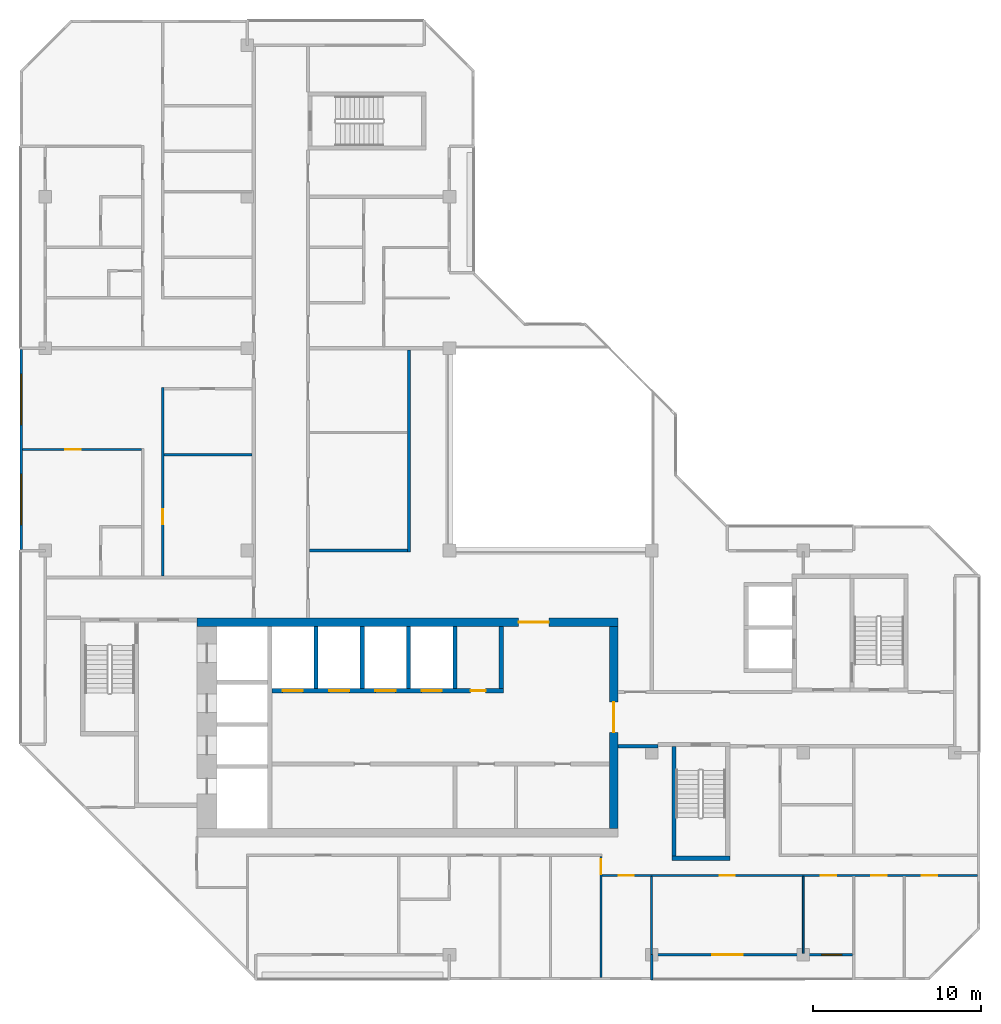
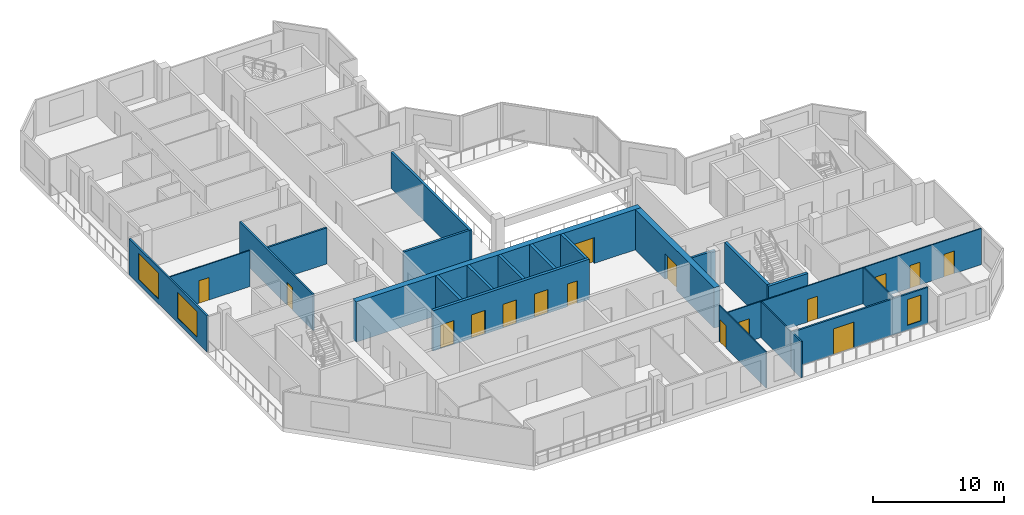
# One storey, part 5 of 12: 23 walls, 16 doors, 3 windows, 19 openings.
"""IFC4 building model written with IfcOpenShell, lengths in metres."""

from ifc_helpers import new_model, si_unit, direction, frame, frame_2d, origin, place, context, subcontext, project, spatial, rectangle, extrude, material, layer, layer_set, type_object, element, fill, save


model = new_model("IFC4")

# Units and contexts
model_context = context("Model", 3, precision=1e-05, world=origin(), true_north=direction((0.0, 1.0)))
body_context = subcontext(model_context, "Body", "Model", "MODEL_VIEW")
ifc_project = project(units=[si_unit("LENGTHUNIT", "METRE"), si_unit("AREAUNIT", "SQUARE_METRE"), si_unit("VOLUMEUNIT", "CUBIC_METRE"), si_unit("PLANEANGLEUNIT", "RADIAN"), si_unit("MASSUNIT", "GRAM", prefix="KILO")], contexts=[model_context])

# Site, building, storey
site_placement = place(None, origin())
site = spatial("IfcSite", under=ifc_project, at=site_placement, CompositionType="ELEMENT")
building_placement = place(site_placement, origin())
building = spatial("IfcBuilding", under=site, at=building_placement, Name="Chenar Terraces", CompositionType="ELEMENT")
storey_placement = place(building_placement, frame((0.0, 0.0, 350.14990234375)))
storey = spatial("IfcBuildingStorey", under=building, at=storey_placement, Name="L81", CompositionType="ELEMENT", Elevation=350.14990234375)

# Wall, openings, doors
ifc_material_1 = material(Name="Concrete C50/60", Category="concrete")
ifc_layer_1 = layer(ifc_material_1, 0.25)
ifc_layer_set_1 = layer_set([ifc_layer_1], Name="Concrete C50/60")
wall_type_1 = type_object("IfcWallType", Name="Core wall 250 Concrete C50/60", PredefinedType="SHEAR", material=ifc_layer_set_1)
wall_1_placement = place(storey_placement, frame((13.449951171875, 15.675048828125, 0.0), z_axis=(0.0, 0.0, 1.0), x_axis=(1.0, 0.0, 0.0)))
wall_1 = element("IfcWall", 1, at=wall_1_placement, inside=storey, type_object=wall_type_1, Name="Core wall NF L81", PredefinedType="SHEAR", context=body_context, shape_type="SweptSolid", body=[
    extrude(rectangle(XDim=13.75, YDim=0.25, at=frame_2d((6.875, 0.0))), origin(), (0.0, 0.0, 1.0), 3.75),
])
opening_1_placement = place(wall_1_placement, frame((0.64990234375, 0.0, 0.0)))
opening_1 = element("IfcOpeningElement", 2, at=opening_1_placement, cuts=wall_1, Name="Opening DL81-LD1", PredefinedType="OPENING", context=body_context, shape_type="SweptSolid", body=[
    extrude(rectangle(XDim=1.199951171875, YDim=2.199951171875, at=frame_2d((0.60009765625, 1.10009765625))), frame((0.0, 0.135009765625, 0.0), z_axis=(0.0, -1.0, 0.0), x_axis=(1.0, 0.0, 0.0)), (0.0, 0.0, 1.0), 0.27001953125),
])
opening_2_placement = place(wall_1_placement, frame((3.39990234375, 0.0, 0.0)))
opening_2 = element("IfcOpeningElement", 3, at=opening_2_placement, cuts=wall_1, Name="Opening DL81-LD2", PredefinedType="OPENING", context=body_context, shape_type="SweptSolid", body=[
    extrude(rectangle(XDim=1.199951171875, YDim=2.199951171875, at=frame_2d((0.60009765625, 1.10009765625))), frame((0.0, 0.135009765625, 0.0), z_axis=(0.0, -1.0, 0.0), x_axis=(1.0, 0.0, 0.0)), (0.0, 0.0, 1.0), 0.27001953125),
])
opening_3_placement = place(wall_1_placement, frame((6.14990234375, 0.0, 0.0)))
opening_3 = element("IfcOpeningElement", 4, at=opening_3_placement, cuts=wall_1, Name="Opening DL81-LD3", PredefinedType="OPENING", context=body_context, shape_type="SweptSolid", body=[
    extrude(rectangle(XDim=1.199951171875, YDim=2.199951171875, at=frame_2d((0.60009765625, 1.10009765625))), frame((0.0, 0.135009765625, 0.0), z_axis=(0.0, -1.0, 0.0), x_axis=(1.0, 0.0, 0.0)), (0.0, 0.0, 1.0), 0.27001953125),
])
opening_4_placement = place(wall_1_placement, frame((8.89990234375, 0.0, 0.0)))
opening_4 = element("IfcOpeningElement", 5, at=opening_4_placement, cuts=wall_1, Name="Opening DL81-LD4", PredefinedType="OPENING", context=body_context, shape_type="SweptSolid", body=[
    extrude(rectangle(XDim=1.199951171875, YDim=2.199951171875, at=frame_2d((0.60009765625, 1.10009765625))), frame((0.0, 0.135009765625, 0.0), z_axis=(0.0, -1.0, 0.0), x_axis=(1.0, 0.0, 0.0)), (0.0, 0.0, 1.0), 0.27001953125),
])
opening_5_placement = place(wall_1_placement, frame((11.800048828125, 0.0, 0.0)))
opening_5 = element("IfcOpeningElement", 6, at=opening_5_placement, cuts=wall_1, Name="Opening DL81-C15", PredefinedType="OPENING", context=body_context, shape_type="SweptSolid", body=[
    extrude(rectangle(XDim=0.89990234375, YDim=2.10009765625, at=frame_2d((0.449951171875, 1.050048828125))), frame((0.0, 0.135009765625, 0.0), z_axis=(0.0, -1.0, 0.0), x_axis=(1.0, 0.0, 0.0)), (0.0, 0.0, 1.0), 0.27001953125),
])
ifc_material_2 = material(Name="Stainless steel", Category="steel")
door_type_1 = type_object("IfcDoorType", Name="Lift landing door 1200 x 2200 sliding", OperationType="DOUBLE_DOOR_SLIDING", PredefinedType="DOOR", material=ifc_material_2)
door_1_placement = place(opening_1_placement, origin())
door_1 = element("IfcDoor", 7, at=door_1_placement, inside=storey, type_object=door_type_1, Name="Landing door H1", OperationType="DOUBLE_DOOR_SLIDING", OverallHeight=2.199951171875, OverallWidth=1.199951171875, PredefinedType="DOOR", context=body_context, shape_type="SweptSolid", body=[
    extrude(rectangle(XDim=1.199951171875, YDim=2.199951171875, at=frame_2d((0.60009765625, 1.10009765625))), frame((0.0, 0.02490234375, 0.0), z_axis=(0.0, -1.0, 0.0), x_axis=(1.0, 0.0, 0.0)), (0.0, 0.0, 1.0), 0.050048828125),
])
fill(opening_1, door_1)
door_2_placement = place(opening_2_placement, origin())
door_2 = element("IfcDoor", 8, at=door_2_placement, inside=storey, type_object=door_type_1, Name="Landing door H2", OperationType="DOUBLE_DOOR_SLIDING", OverallHeight=2.199951171875, OverallWidth=1.199951171875, PredefinedType="DOOR", context=body_context, shape_type="SweptSolid", body=[
    extrude(rectangle(XDim=1.199951171875, YDim=2.199951171875, at=frame_2d((0.60009765625, 1.10009765625))), frame((0.0, 0.02490234375, 0.0), z_axis=(0.0, -1.0, 0.0), x_axis=(1.0, 0.0, 0.0)), (0.0, 0.0, 1.0), 0.050048828125),
])
fill(opening_2, door_2)
door_3_placement = place(opening_3_placement, origin())
door_3 = element("IfcDoor", 9, at=door_3_placement, inside=storey, type_object=door_type_1, Name="Landing door H3", OperationType="DOUBLE_DOOR_SLIDING", OverallHeight=2.199951171875, OverallWidth=1.199951171875, PredefinedType="DOOR", context=body_context, shape_type="SweptSolid", body=[
    extrude(rectangle(XDim=1.199951171875, YDim=2.199951171875, at=frame_2d((0.60009765625, 1.10009765625))), frame((0.0, 0.02490234375, 0.0), z_axis=(0.0, -1.0, 0.0), x_axis=(1.0, 0.0, 0.0)), (0.0, 0.0, 1.0), 0.050048828125),
])
fill(opening_3, door_3)
door_4_placement = place(opening_4_placement, origin())
door_4 = element("IfcDoor", 10, at=door_4_placement, inside=storey, type_object=door_type_1, Name="Landing door H4", OperationType="DOUBLE_DOOR_SLIDING", OverallHeight=2.199951171875, OverallWidth=1.199951171875, PredefinedType="DOOR", context=body_context, shape_type="SweptSolid", body=[
    extrude(rectangle(XDim=1.199951171875, YDim=2.199951171875, at=frame_2d((0.60009765625, 1.10009765625))), frame((0.0, 0.02490234375, 0.0), z_axis=(0.0, -1.0, 0.0), x_axis=(1.0, 0.0, 0.0)), (0.0, 0.0, 1.0), 0.050048828125),
])
fill(opening_4, door_4)
ifc_material_3 = material(Name="Steel-framed fire-resisting door leaf", Category="steel")
door_type_2 = type_object("IfcDoorType", Name="Riser fire door FD60 900 x 2100", OperationType="SINGLE_SWING_LEFT", PredefinedType="DOOR", material=ifc_material_3)
door_5_placement = place(opening_5_placement, origin())
door_5 = element("IfcDoor", 11, at=door_5_placement, inside=storey, type_object=door_type_2, Name="Core room door DL81-C15", OperationType="SINGLE_SWING_RIGHT", OverallHeight=2.10009765625, OverallWidth=0.89990234375, PredefinedType="DOOR", context=body_context, shape_type="SweptSolid", body=[
    extrude(rectangle(XDim=0.89990234375, YDim=2.10009765625, at=frame_2d((0.449951171875, 1.050048828125))), frame((0.0, 0.02490234375, 0.0), z_axis=(0.0, -1.0, 0.0), x_axis=(1.0, 0.0, 0.0)), (0.0, 0.0, 1.0), 0.050048828125),
])
fill(opening_5, door_5)

# Walls
for number, where, z_axis, x_axis, name in (
    (12, (16.074951171875, 15.800048828125, 0.0), (0.0, 0.0, 1.0), (0.0, 1.0, 0.0), "Core wall NS0 L81"),
    (13, (18.824951171875, 15.800048828125, 0.0), (0.0, 0.0, 1.0), (0.0, 1.0, 0.0), "Core wall NS1 L81"),
    (14, (21.574951171875, 15.800048828125, 0.0), (0.0, 0.0, 1.0), (0.0, 1.0, 0.0), "Core wall NS2 L81"),
    (15, (24.324951171875, 15.800048828125, 0.0), (0.0, 0.0, 1.0), (0.0, 1.0, 0.0), "Core wall NS3 L81"),
    (16, (27.074951171875, 15.800048828125, 0.0), (0.0, 0.0, 1.0), (0.0, 1.0, 0.0), "Core wall NE L81"),
):
    element("IfcWall", number, at=place(storey_placement, frame(where, z_axis=z_axis, x_axis=x_axis)), inside=storey, type_object=wall_type_1, Name=name, PredefinedType="SHEAR", context=body_context, shape_type="SweptSolid", body=[
        extrude(rectangle(XDim=3.699951171875, YDim=0.25, at=frame_2d((1.85009765625, 0.0))), origin(), (0.0, 0.0, 1.0), 3.75),
    ])
wall_2_placement = place(storey_placement, frame((37.199951171875, 5.72509765625, 0.0), z_axis=(0.0, 0.0, 1.0), x_axis=(1.0, 0.0, 0.0)))
element("IfcWall", 17, at=wall_2_placement, inside=storey, type_object=wall_type_1, Name="Core wall ST2_S L81", PredefinedType="SHEAR", context=body_context, shape_type="SweptSolid", body=[
    extrude(rectangle(XDim=3.449951171875, YDim=0.25, at=frame_2d((1.72509765625, 0.0))), origin(), (0.0, 0.0, 1.0), 3.75),
])
wall_3_placement = place(storey_placement, frame((37.324951171875, 5.85009765625, 0.0), z_axis=(0.0, 0.0, 1.0), x_axis=(0.0, 1.0, 0.0)))
element("IfcWall", 18, at=wall_3_placement, inside=storey, type_object=wall_type_1, Name="Core wall ST2_W L81", PredefinedType="SHEAR", context=body_context, shape_type="SweptSolid", body=[
    extrude(rectangle(XDim=6.5, YDim=0.25, at=frame_2d((3.25, 0.0))), origin(), (0.0, 0.0, 1.0), 3.75),
])

# Wall, opening, door
ifc_material_4 = material(Name="Concrete C50/60", Category="concrete")
ifc_layer_2 = layer(ifc_material_4, 0.5)
ifc_layer_set_2 = layer_set([ifc_layer_2], Name="Concrete C50/60")
wall_type_2 = type_object("IfcWallType", Name="Core wall 500 Concrete C50/60", PredefinedType="SHEAR", material=ifc_layer_set_2)
wall_4_placement = place(storey_placement, frame((9.0, 19.75, 0.0), z_axis=(0.0, 0.0, 1.0), x_axis=(1.0, 0.0, 0.0)))
wall_4 = element("IfcWall", 19, at=wall_4_placement, inside=storey, type_object=wall_type_2, Name="Core wall N L81", PredefinedType="SHEAR", context=body_context, shape_type="SweptSolid", body=[
    extrude(rectangle(XDim=25.0, YDim=0.5, at=frame_2d((12.5, 0.0))), origin(), (0.0, 0.0, 1.0), 3.75),
])
opening_6_placement = place(wall_4_placement, frame((19.10009765625, 0.0, 0.0)))
opening_6 = element("IfcOpeningElement", 20, at=opening_6_placement, cuts=wall_4, Name="Opening DL81-C2", PredefinedType="OPENING", context=body_context, shape_type="SweptSolid", body=[
    extrude(rectangle(XDim=1.800048828125, YDim=2.39990234375, at=frame_2d((0.89990234375, 1.199951171875))), frame((0.0, 0.260009765625, 0.0), z_axis=(0.0, -1.0, 0.0), x_axis=(1.0, 0.0, 0.0)), (0.0, 0.0, 1.0), 0.52001953125),
])
ifc_material_5 = material(Name="Steel-framed fire-resisting door leaf", Category="steel")
door_type_3 = type_object("IfcDoorType", Name="Core entrance double fire door FD60 1800 x 2400", OperationType="DOUBLE_DOOR_SINGLE_SWING", PredefinedType="DOOR", material=ifc_material_5)
door_6_placement = place(opening_6_placement, frame((1.800048828125, 0.0, 0.0), z_axis=(0.0, 0.0, 1.0), x_axis=(-1.0, 0.0, 0.0)))
door_6 = element("IfcDoor", 21, at=door_6_placement, inside=storey, type_object=door_type_3, Name="Core door DL81-C2", OperationType="DOUBLE_DOOR_SINGLE_SWING", OverallHeight=2.39990234375, OverallWidth=1.800048828125, PredefinedType="DOOR", context=body_context, shape_type="SweptSolid", body=[
    extrude(rectangle(XDim=1.800048828125, YDim=2.39990234375, at=frame_2d((0.89990234375, 1.199951171875))), frame((0.0, 0.02490234375, 0.0), z_axis=(0.0, -1.0, 0.0), x_axis=(1.0, 0.0, 0.0)), (0.0, 0.0, 1.0), 0.050048828125),
])
fill(opening_6, door_6)

wall_5_placement = place(storey_placement, frame((33.75, 7.5, 0.0), z_axis=(0.0, 0.0, 1.0), x_axis=(0.0, 1.0, 0.0)))
wall_5 = element("IfcWall", 22, at=wall_5_placement, inside=storey, type_object=wall_type_2, Name="Core wall E L81", PredefinedType="SHEAR", context=body_context, shape_type="SweptSolid", body=[
    extrude(rectangle(XDim=12.0, YDim=0.5, at=frame_2d((6.0, 0.0))), origin(), (0.0, 0.0, 1.0), 3.75),
])
opening_7_placement = place(wall_5_placement, frame((5.699951171875, 0.0, 0.0)))
opening_7 = element("IfcOpeningElement", 23, at=opening_7_placement, cuts=wall_5, Name="Opening DL81-C1", PredefinedType="OPENING", context=body_context, shape_type="SweptSolid", body=[
    extrude(rectangle(XDim=1.800048828125, YDim=2.39990234375, at=frame_2d((0.89990234375, 1.199951171875))), frame((0.0, 0.260009765625, 0.0), z_axis=(0.0, -1.0, 0.0), x_axis=(1.0, 0.0, 0.0)), (0.0, 0.0, 1.0), 0.52001953125),
])
door_7_placement = place(opening_7_placement, origin())
door_7 = element("IfcDoor", 24, at=door_7_placement, inside=storey, type_object=door_type_3, Name="Core door DL81-C1", OperationType="DOUBLE_DOOR_SINGLE_SWING", OverallHeight=2.39990234375, OverallWidth=1.800048828125, PredefinedType="DOOR", context=body_context, shape_type="SweptSolid", body=[
    extrude(rectangle(XDim=1.800048828125, YDim=2.39990234375, at=frame_2d((0.89990234375, 1.199951171875))), frame((0.0, 0.02490234375, 0.0), z_axis=(0.0, -1.0, 0.0), x_axis=(1.0, 0.0, 0.0)), (0.0, 0.0, 1.0), 0.050048828125),
])
fill(opening_7, door_7)

# Walls
ifc_material_6 = material(Name="Gypsum board on steel studs with fire boards", Category="steel")
ifc_layer_3 = layer(ifc_material_6, 0.199951171875)
ifc_layer_set_3 = layer_set([ifc_layer_3], Name="Gypsum board on steel studs with fire boards")
wall_type_3 = type_object("IfcWallType", Name="Corridor wall 200", PredefinedType="PARTITIONING", material=ifc_layer_set_3)
wall_6_placement = place(storey_placement, frame((15.699951171875, 24.0, 0.0), z_axis=(0.0, 0.0, 1.0), x_axis=(1.0, 0.0, 0.0)))
element("IfcWall", 25, at=wall_6_placement, inside=storey, type_object=wall_type_3, Name="Partition L81-033", PredefinedType="PARTITIONING", context=body_context, shape_type="SweptSolid", body=[
    extrude(rectangle(XDim=5.800048828125, YDim=0.199951171875, at=frame_2d((2.89990234375, 0.0))), origin(), (0.0, 0.0, 1.0), 3.35009765625),
])
wall_7_placement = place(storey_placement, frame((21.60009765625, 23.89990234375, 0.0), z_axis=(0.0, 0.0, 1.0), x_axis=(0.0, 1.0, 0.0)))
element("IfcWall", 26, at=wall_7_placement, inside=storey, type_object=wall_type_3, Name="Partition L81-045", PredefinedType="PARTITIONING", context=body_context, shape_type="SweptSolid", body=[
    extrude(rectangle(XDim=12.0, YDim=0.199951171875, at=frame_2d((6.0, 0.0))), origin(), (0.0, 0.0, 1.0), 3.35009765625),
])
wall_8_placement = place(storey_placement, frame((34.0, 12.375, 0.0), z_axis=(0.0, 0.0, 1.0), x_axis=(1.0, 0.0, 0.0)))
element("IfcWall", 27, at=wall_8_placement, inside=storey, type_object=wall_type_3, Name="Partition L81-051", PredefinedType="PARTITIONING", context=body_context, shape_type="SweptSolid", body=[
    extrude(rectangle(XDim=2.3759765625, YDim=0.199951171875, at=frame_2d((1.18798828125, 0.0))), origin(), (0.0, 0.0, 1.0), 3.35009765625),
])

# Wall, openings, windows
ifc_material_7 = material(Name="Aluminium framed glazing", Category="aluminium")
ifc_layer_4 = layer(ifc_material_7, 0.14990234375)
ifc_layer_set_4 = layer_set([ifc_layer_4], Name="Aluminium framed glazing")
wall_type_4 = type_object("IfcWallType", Name="Glazed flush facade wall 150", PredefinedType="SOLIDWALL", material=ifc_layer_set_4)
wall_9_placement = place(storey_placement, frame((-1.425048828125, 35.925048828125, 0.0), z_axis=(0.0, 0.0, 1.0), x_axis=(0.0, -1.0, 0.0)))
wall_9 = element("IfcWall", 28, at=wall_9_placement, inside=storey, type_object=wall_type_4, Name="Glazed flush facade wall", PredefinedType="SOLIDWALL", context=body_context, shape_type="SweptSolid", body=[
    extrude(rectangle(XDim=11.85009765625, YDim=0.14990234375, at=frame_2d((5.925048828125, 0.0))), origin(), (0.0, 0.0, 1.0), 3.35009765625),
])
opening_8_placement = place(wall_9_placement, frame((1.46240234375, 0.0, 0.449951171875)))
opening_8 = element("IfcOpeningElement", 29, at=opening_8_placement, cuts=wall_9, Name="Opening W300x240", PredefinedType="OPENING", context=body_context, shape_type="SweptSolid", body=[
    extrude(rectangle(XDim=3.0, YDim=2.39990234375, at=frame_2d((1.5, 1.199951171875))), frame((0.0, 0.0849609375, 0.0), z_axis=(0.0, -1.0, 0.0), x_axis=(1.0, 0.0, 0.0)), (0.0, 0.0, 1.0), 0.169921875),
])
opening_9_placement = place(wall_9_placement, frame((7.387451171875, 0.0, 0.449951171875)))
opening_9 = element("IfcOpeningElement", 30, at=opening_9_placement, cuts=wall_9, Name="Opening W300x240", PredefinedType="OPENING", context=body_context, shape_type="SweptSolid", body=[
    extrude(rectangle(XDim=3.0, YDim=2.39990234375, at=frame_2d((1.5, 1.199951171875))), frame((0.0, 0.0849609375, 0.0), z_axis=(0.0, -1.0, 0.0), x_axis=(1.0, 0.0, 0.0)), (0.0, 0.0, 1.0), 0.169921875),
])
ifc_material_8 = material(Name="Low emissivity double glazing, aluminium frame", Category="aluminium")
window_type_1 = type_object("IfcWindowType", Name="Fixed light 3000 x 2400", PartitioningType="SINGLE_PANEL", PredefinedType="WINDOW", material=ifc_material_8)
window_1_placement = place(opening_8_placement, origin())
window_1 = element("IfcWindow", 31, at=window_1_placement, inside=storey, type_object=window_type_1, Name="Window", OverallHeight=2.39990234375, OverallWidth=3.0, PartitioningType="SINGLE_PANEL", PredefinedType="WINDOW", context=body_context, shape_type="SweptSolid", body=[
    extrude(rectangle(XDim=3.0, YDim=2.39990234375, at=frame_2d((1.5, 1.199951171875))), frame((0.0, 0.030029296875, 0.0), z_axis=(0.0, -1.0, 0.0), x_axis=(1.0, 0.0, 0.0)), (0.0, 0.0, 1.0), 0.06005859375),
])
fill(opening_8, window_1)
window_2_placement = place(opening_9_placement, origin())
window_2 = element("IfcWindow", 32, at=window_2_placement, inside=storey, type_object=window_type_1, Name="Window", OverallHeight=2.39990234375, OverallWidth=3.0, PartitioningType="SINGLE_PANEL", PredefinedType="WINDOW", context=body_context, shape_type="SweptSolid", body=[
    extrude(rectangle(XDim=3.0, YDim=2.39990234375, at=frame_2d((1.5, 1.199951171875))), frame((0.0, 0.030029296875, 0.0), z_axis=(0.0, -1.0, 0.0), x_axis=(1.0, 0.0, 0.0)), (0.0, 0.0, 1.0), 0.06005859375),
])
fill(opening_9, window_2)

# Wall, openings, window, door
ifc_material_9 = material(Name="Aluminium framed glazing", Category="aluminium")
ifc_layer_5 = layer(ifc_material_9, 0.14990234375)
ifc_layer_set_5 = layer_set([ifc_layer_5], Name="Aluminium framed glazing")
wall_type_5 = type_object("IfcWallType", Name="Glazed loggia back wall 150", PredefinedType="SOLIDWALL", material=ifc_layer_set_5)
wall_10_placement = place(storey_placement, frame((36.074951171875, 0.0, 0.0), z_axis=(0.0, 0.0, 1.0), x_axis=(1.0, 0.0, 0.0)))
wall_10 = element("IfcWall", 33, at=wall_10_placement, inside=storey, type_object=wall_type_5, Name="Glazed loggia back wall", PredefinedType="SOLIDWALL", context=body_context, shape_type="SweptSolid", body=[
    extrude(rectangle(XDim=11.85009765625, YDim=0.14990234375, at=frame_2d((5.925048828125, 0.0))), origin(), (0.0, 0.0, 1.0), 3.35009765625),
])
opening_10_placement = place(wall_10_placement, frame((3.52490234375, 0.0, 0.0)))
opening_10 = element("IfcOpeningElement", 34, at=opening_10_placement, cuts=wall_10, Name="Opening DL81-G4", PredefinedType="OPENING", context=body_context, shape_type="SweptSolid", body=[
    extrude(rectangle(XDim=1.800048828125, YDim=2.39990234375, at=frame_2d((0.89990234375, 1.199951171875))), frame((0.0, 0.0849609375, 0.0), z_axis=(0.0, -1.0, 0.0), x_axis=(1.0, 0.0, 0.0)), (0.0, 0.0, 1.0), 0.169921875),
])
opening_11_placement = place(wall_10_placement, frame((10.02490234375, 0.0, 0.449951171875)))
opening_11 = element("IfcOpeningElement", 35, at=opening_11_placement, cuts=wall_10, Name="Opening W120x240", PredefinedType="OPENING", context=body_context, shape_type="SweptSolid", body=[
    extrude(rectangle(XDim=1.199951171875, YDim=2.39990234375, at=frame_2d((0.60009765625, 1.199951171875))), frame((0.0, 0.0849609375, 0.0), z_axis=(0.0, -1.0, 0.0), x_axis=(1.0, 0.0, 0.0)), (0.0, 0.0, 1.0), 0.169921875),
])
ifc_material_10 = material(Name="Low emissivity double glazing, aluminium frame", Category="aluminium")
window_type_2 = type_object("IfcWindowType", Name="Fixed light 1200 x 2400", PartitioningType="SINGLE_PANEL", PredefinedType="WINDOW", material=ifc_material_10)
window_3_placement = place(opening_11_placement, origin())
window_3 = element("IfcWindow", 36, at=window_3_placement, inside=storey, type_object=window_type_2, Name="Window", OverallHeight=2.39990234375, OverallWidth=1.199951171875, PartitioningType="SINGLE_PANEL", PredefinedType="WINDOW", context=body_context, shape_type="SweptSolid", body=[
    extrude(rectangle(XDim=1.199951171875, YDim=2.39990234375, at=frame_2d((0.60009765625, 1.199951171875))), frame((0.0, 0.030029296875, 0.0), z_axis=(0.0, -1.0, 0.0), x_axis=(1.0, 0.0, 0.0)), (0.0, 0.0, 1.0), 0.06005859375),
])
fill(opening_11, window_3)
ifc_material_11 = material(Name="Low emissivity double glazing, aluminium frame", Category="aluminium")
door_type_4 = type_object("IfcDoorType", Name="Loggia glazed double door 1800 x 2400", OperationType="DOUBLE_DOOR_SINGLE_SWING", PredefinedType="DOOR", material=ifc_material_11)
door_8_placement = place(opening_10_placement, frame((1.800048828125, 0.0, 0.0), z_axis=(0.0, 0.0, 1.0), x_axis=(-1.0, 0.0, 0.0)))
door_8 = element("IfcDoor", 37, at=door_8_placement, inside=storey, type_object=door_type_4, Name="Loggia glazed door", OperationType="DOUBLE_DOOR_SINGLE_SWING", OverallHeight=2.39990234375, OverallWidth=1.800048828125, PredefinedType="DOOR", context=body_context, shape_type="SweptSolid", body=[
    extrude(rectangle(XDim=1.800048828125, YDim=2.39990234375, at=frame_2d((0.89990234375, 1.199951171875))), frame((0.0, 0.02490234375, 0.0), z_axis=(0.0, -1.0, 0.0), x_axis=(1.0, 0.0, 0.0)), (0.0, 0.0, 1.0), 0.050048828125),
])
fill(opening_10, door_8)

# Wall, opening, door
ifc_material_12 = material(Name="Gypsum board on steel studs", Category="steel")
ifc_layer_6 = layer(ifc_material_12, 0.10009765625)
ifc_layer_set_6 = layer_set([ifc_layer_6], Name="Gypsum board on steel studs")
wall_type_6 = type_object("IfcWallType", Name="Gypsum partition 100", PredefinedType="PARTITIONING", material=ifc_layer_set_6)
wall_11_placement = place(storey_placement, frame((-1.35009765625, 30.0, 0.0), z_axis=(0.0, 0.0, 1.0), x_axis=(1.0, 0.0, 0.0)))
wall_11 = element("IfcWall", 38, at=wall_11_placement, inside=storey, type_object=wall_type_6, Name="Partition L81-001", PredefinedType="PARTITIONING", context=body_context, shape_type="SweptSolid", body=[
    extrude(rectangle(XDim=7.050048828125, YDim=0.10009765625, at=frame_2d((3.52490234375, 0.0))), origin(), (0.0, 0.0, 1.0), 3.35009765625),
])
opening_12_placement = place(wall_11_placement, frame((2.550048828125, 0.0, 0.0)))
opening_12 = element("IfcOpeningElement", 39, at=opening_12_placement, cuts=wall_11, Name="Opening DL81-42", PredefinedType="OPENING", context=body_context, shape_type="SweptSolid", body=[
    extrude(rectangle(XDim=0.89990234375, YDim=2.10009765625, at=frame_2d((0.449951171875, 1.050048828125))), frame((0.0, 0.06005859375, 0.0), z_axis=(0.0, -1.0, 0.0), x_axis=(1.0, 0.0, 0.0)), (0.0, 0.0, 1.0), 0.1201171875),
])
ifc_material_13 = material(Name="Veneered timber door leaf", Category="wood")
door_type_5 = type_object("IfcDoorType", Name="Door 900 x 2100", OperationType="SINGLE_SWING_LEFT", PredefinedType="DOOR", material=ifc_material_13)
door_9_placement = place(opening_12_placement, frame((0.89990234375, 0.0, 0.0), z_axis=(0.0, 0.0, 1.0), x_axis=(-1.0, 0.0, 0.0)))
door_9 = element("IfcDoor", 40, at=door_9_placement, inside=storey, type_object=door_type_5, Name="Door DL81-42", OperationType="SINGLE_SWING_LEFT", OverallHeight=2.10009765625, OverallWidth=0.89990234375, PredefinedType="DOOR", context=body_context, shape_type="SweptSolid", body=[
    extrude(rectangle(XDim=0.89990234375, YDim=2.10009765625, at=frame_2d((0.449951171875, 1.050048828125))), frame((0.0, 0.02490234375, 0.0), z_axis=(0.0, -1.0, 0.0), x_axis=(1.0, 0.0, 0.0)), (0.0, 0.0, 1.0), 0.050048828125),
])
fill(opening_12, door_9)

wall_12_placement = place(storey_placement, frame((33.0, -1.35107421875, 0.0), z_axis=(0.0, 0.0, 1.0), x_axis=(0.0, 1.0, 0.0)))
wall_12 = element("IfcWall", 41, at=wall_12_placement, inside=storey, type_object=wall_type_6, Name="Partition L81-049", PredefinedType="PARTITIONING", context=body_context, shape_type="SweptSolid", body=[
    extrude(rectangle(XDim=7.176025390625, YDim=0.10009765625, at=frame_2d((3.587890625, 0.0))), origin(), (0.0, 0.0, 1.0), 3.35009765625),
])
opening_13_placement = place(wall_12_placement, frame((6.1259765625, 0.0, 0.0)))
opening_13 = element("IfcOpeningElement", 42, at=opening_13_placement, cuts=wall_12, Name="Opening DL81-27", PredefinedType="OPENING", context=body_context, shape_type="SweptSolid", body=[
    extrude(rectangle(XDim=0.89990234375, YDim=2.10009765625, at=frame_2d((0.449951171875, 1.050048828125))), frame((0.0, 0.06005859375, 0.0), z_axis=(0.0, -1.0, 0.0), x_axis=(1.0, 0.0, 0.0)), (0.0, 0.0, 1.0), 0.1201171875),
])
door_10_placement = place(opening_13_placement, origin())
door_10 = element("IfcDoor", 43, at=door_10_placement, inside=storey, type_object=door_type_5, Name="Door DL81-27", OperationType="SINGLE_SWING_RIGHT", OverallHeight=2.10009765625, OverallWidth=0.89990234375, PredefinedType="DOOR", context=body_context, shape_type="SweptSolid", body=[
    extrude(rectangle(XDim=0.89990234375, YDim=2.10009765625, at=frame_2d((0.449951171875, 1.050048828125))), frame((0.0, 0.02490234375, 0.0), z_axis=(0.0, -1.0, 0.0), x_axis=(1.0, 0.0, 0.0)), (0.0, 0.0, 1.0), 0.050048828125),
])
fill(opening_13, door_10)

# Wall, openings, doors
wall_13_placement = place(storey_placement, frame((33.050048828125, 4.699951171875, 0.0), z_axis=(0.0, 0.0, 1.0), x_axis=(1.0, 0.0, 0.0)))
wall_13 = element("IfcWall", 44, at=wall_13_placement, inside=storey, type_object=wall_type_6, Name="Partition L81-050", PredefinedType="PARTITIONING", context=body_context, shape_type="SweptSolid", body=[
    extrude(rectangle(XDim=22.301025390625, YDim=0.10009765625, at=frame_2d((11.150390625, 0.0))), origin(), (0.0, 0.0, 1.0), 3.35009765625),
])
opening_14_placement = place(wall_13_placement, frame((1.0, 0.0, 0.0)))
opening_14 = element("IfcOpeningElement", 45, at=opening_14_placement, cuts=wall_13, Name="Opening DL81-28", PredefinedType="OPENING", context=body_context, shape_type="SweptSolid", body=[
    extrude(rectangle(XDim=0.89990234375, YDim=2.10009765625, at=frame_2d((0.449951171875, 1.050048828125))), frame((0.0, 0.06005859375, 0.0), z_axis=(0.0, -1.0, 0.0), x_axis=(1.0, 0.0, 0.0)), (0.0, 0.0, 1.0), 0.1201171875),
])
opening_15_placement = place(wall_13_placement, frame((13.0, 0.0, 0.0)))
opening_15 = element("IfcOpeningElement", 46, at=opening_15_placement, cuts=wall_13, Name="Opening DL81-29", PredefinedType="OPENING", context=body_context, shape_type="SweptSolid", body=[
    extrude(rectangle(XDim=0.89990234375, YDim=2.10009765625, at=frame_2d((0.449951171875, 1.050048828125))), frame((0.0, 0.06005859375, 0.0), z_axis=(0.0, -1.0, 0.0), x_axis=(1.0, 0.0, 0.0)), (0.0, 0.0, 1.0), 0.1201171875),
])
opening_16_placement = place(wall_13_placement, frame((16.0, 0.0, 0.0)))
opening_16 = element("IfcOpeningElement", 47, at=opening_16_placement, cuts=wall_13, Name="Opening DL81-30", PredefinedType="OPENING", context=body_context, shape_type="SweptSolid", body=[
    extrude(rectangle(XDim=0.89990234375, YDim=2.10009765625, at=frame_2d((0.449951171875, 1.050048828125))), frame((0.0, 0.06005859375, 0.0), z_axis=(0.0, -1.0, 0.0), x_axis=(1.0, 0.0, 0.0)), (0.0, 0.0, 1.0), 0.1201171875),
])
opening_17_placement = place(wall_13_placement, frame((19.0, 0.0, 0.0)))
opening_17 = element("IfcOpeningElement", 48, at=opening_17_placement, cuts=wall_13, Name="Opening DL81-31", PredefinedType="OPENING", context=body_context, shape_type="SweptSolid", body=[
    extrude(rectangle(XDim=0.89990234375, YDim=2.10009765625, at=frame_2d((0.449951171875, 1.050048828125))), frame((0.0, 0.06005859375, 0.0), z_axis=(0.0, -1.0, 0.0), x_axis=(1.0, 0.0, 0.0)), (0.0, 0.0, 1.0), 0.1201171875),
])
opening_18_placement = place(wall_13_placement, frame((7.0, 0.0, 0.0)))
opening_18 = element("IfcOpeningElement", 49, at=opening_18_placement, cuts=wall_13, Name="Opening DL81-40", PredefinedType="OPENING", context=body_context, shape_type="SweptSolid", body=[
    extrude(rectangle(XDim=0.89990234375, YDim=2.10009765625, at=frame_2d((0.449951171875, 1.050048828125))), frame((0.0, 0.06005859375, 0.0), z_axis=(0.0, -1.0, 0.0), x_axis=(1.0, 0.0, 0.0)), (0.0, 0.0, 1.0), 0.1201171875),
])
door_11_placement = place(opening_14_placement, frame((0.89990234375, 0.0, 0.0), z_axis=(0.0, 0.0, 1.0), x_axis=(-1.0, 0.0, 0.0)))
door_11 = element("IfcDoor", 50, at=door_11_placement, inside=storey, type_object=door_type_5, Name="Door DL81-28", OperationType="SINGLE_SWING_LEFT", OverallHeight=2.10009765625, OverallWidth=0.89990234375, PredefinedType="DOOR", context=body_context, shape_type="SweptSolid", body=[
    extrude(rectangle(XDim=0.89990234375, YDim=2.10009765625, at=frame_2d((0.449951171875, 1.050048828125))), frame((0.0, 0.02490234375, 0.0), z_axis=(0.0, -1.0, 0.0), x_axis=(1.0, 0.0, 0.0)), (0.0, 0.0, 1.0), 0.050048828125),
])
fill(opening_14, door_11)
door_12_placement = place(opening_15_placement, frame((0.89990234375, 0.0, 0.0), z_axis=(0.0, 0.0, 1.0), x_axis=(-1.0, 0.0, 0.0)))
door_12 = element("IfcDoor", 51, at=door_12_placement, inside=storey, type_object=door_type_5, Name="Door DL81-29", OperationType="SINGLE_SWING_LEFT", OverallHeight=2.10009765625, OverallWidth=0.89990234375, PredefinedType="DOOR", context=body_context, shape_type="SweptSolid", body=[
    extrude(rectangle(XDim=0.89990234375, YDim=2.10009765625, at=frame_2d((0.449951171875, 1.050048828125))), frame((0.0, 0.02490234375, 0.0), z_axis=(0.0, -1.0, 0.0), x_axis=(1.0, 0.0, 0.0)), (0.0, 0.0, 1.0), 0.050048828125),
])
fill(opening_15, door_12)
door_13_placement = place(opening_16_placement, frame((0.89990234375, 0.0, 0.0), z_axis=(0.0, 0.0, 1.0), x_axis=(-1.0, 0.0, 0.0)))
door_13 = element("IfcDoor", 52, at=door_13_placement, inside=storey, type_object=door_type_5, Name="Door DL81-30", OperationType="SINGLE_SWING_LEFT", OverallHeight=2.10009765625, OverallWidth=0.89990234375, PredefinedType="DOOR", context=body_context, shape_type="SweptSolid", body=[
    extrude(rectangle(XDim=0.89990234375, YDim=2.10009765625, at=frame_2d((0.449951171875, 1.050048828125))), frame((0.0, 0.02490234375, 0.0), z_axis=(0.0, -1.0, 0.0), x_axis=(1.0, 0.0, 0.0)), (0.0, 0.0, 1.0), 0.050048828125),
])
fill(opening_16, door_13)
door_14_placement = place(opening_17_placement, frame((0.89990234375, 0.0, 0.0), z_axis=(0.0, 0.0, 1.0), x_axis=(-1.0, 0.0, 0.0)))
door_14 = element("IfcDoor", 53, at=door_14_placement, inside=storey, type_object=door_type_5, Name="Door DL81-31", OperationType="SINGLE_SWING_RIGHT", OverallHeight=2.10009765625, OverallWidth=0.89990234375, PredefinedType="DOOR", context=body_context, shape_type="SweptSolid", body=[
    extrude(rectangle(XDim=0.89990234375, YDim=2.10009765625, at=frame_2d((0.449951171875, 1.050048828125))), frame((0.0, 0.02490234375, 0.0), z_axis=(0.0, -1.0, 0.0), x_axis=(1.0, 0.0, 0.0)), (0.0, 0.0, 1.0), 0.050048828125),
])
fill(opening_17, door_14)
door_15_placement = place(opening_18_placement, frame((0.89990234375, 0.0, 0.0), z_axis=(0.0, 0.0, 1.0), x_axis=(-1.0, 0.0, 0.0)))
door_15 = element("IfcDoor", 54, at=door_15_placement, inside=storey, type_object=door_type_5, Name="Door DL81-40", OperationType="SINGLE_SWING_LEFT", OverallHeight=2.10009765625, OverallWidth=0.89990234375, PredefinedType="DOOR", context=body_context, shape_type="SweptSolid", body=[
    extrude(rectangle(XDim=0.89990234375, YDim=2.10009765625, at=frame_2d((0.449951171875, 1.050048828125))), frame((0.0, 0.02490234375, 0.0), z_axis=(0.0, -1.0, 0.0), x_axis=(1.0, 0.0, 0.0)), (0.0, 0.0, 1.0), 0.050048828125),
])
fill(opening_18, door_15)

# Walls
wall_14_placement = place(storey_placement, frame((36.0, 0.0, 0.0), z_axis=(0.0, 0.0, 1.0), x_axis=(0.0, 1.0, 0.0)))
element("IfcWall", 55, at=wall_14_placement, inside=storey, type_object=wall_type_6, Name="Partition L81-053", PredefinedType="PARTITIONING", context=body_context, shape_type="SweptSolid", body=[
    extrude(rectangle(XDim=4.64990234375, YDim=0.10009765625, at=frame_2d((2.324951171875, 0.0))), origin(), (0.0, 0.0, 1.0), 3.35009765625),
])
wall_15_placement = place(storey_placement, frame((45.0, 0.073974609375, 0.0), z_axis=(0.0, 0.0, 1.0), x_axis=(0.0, 1.0, 0.0)))
element("IfcWall", 56, at=wall_15_placement, inside=storey, type_object=wall_type_6, Name="Partition L81-059", PredefinedType="PARTITIONING", context=body_context, shape_type="SweptSolid", body=[
    extrude(rectangle(XDim=4.575927734375, YDim=0.10009765625, at=frame_2d((2.2880859375, 0.0))), origin(), (0.0, 0.0, 1.0), 3.35009765625),
])
ifc_material_14 = material(Name="Terracotta cladding on insulated backing", Category="masonry")
ifc_layer_7 = layer(ifc_material_14, 0.14990234375)
ifc_layer_set_7 = layer_set([ifc_layer_7], Name="Terracotta cladding on insulated backing")
wall_type_7 = type_object("IfcWallType", Name="Loggia return wall 150", PredefinedType="SOLIDWALL", material=ifc_layer_set_7)
wall_16_placement = place(storey_placement, frame((36.0, -1.5, 0.0), z_axis=(0.0, 0.0, 1.0), x_axis=(0.0, 1.0, 0.0)))
element("IfcWall", 57, at=wall_16_placement, inside=storey, type_object=wall_type_7, Name="Loggia return wall", PredefinedType="SOLIDWALL", context=body_context, shape_type="SweptSolid", body=[
    extrude(rectangle(XDim=1.5, YDim=0.14990234375, at=frame_2d((0.75, 0.0))), origin(), (0.0, 0.0, 1.0), 3.35009765625),
])

# Wall, opening, door
ifc_material_15 = material(Name="Moisture-resistant gypsum board on steel studs", Category="steel")
ifc_layer_8 = layer(ifc_material_15, 0.14990234375)
ifc_layer_set_8 = layer_set([ifc_layer_8], Name="Moisture-resistant gypsum board on steel studs")
wall_type_8 = type_object("IfcWallType", Name="Wet-room partition 150", PredefinedType="PARTITIONING", material=ifc_layer_set_8)
wall_17_placement = place(storey_placement, frame((6.97509765625, 22.5, 0.0), z_axis=(0.0, 0.0, 1.0), x_axis=(0.0, 1.0, 0.0)))
wall_17 = element("IfcWall", 58, at=wall_17_placement, inside=storey, type_object=wall_type_8, Name="Partition L81-017", PredefinedType="PARTITIONING", context=body_context, shape_type="SweptSolid", body=[
    extrude(rectangle(XDim=11.175048828125, YDim=0.14990234375, at=frame_2d((5.58740234375, 0.0))), origin(), (0.0, 0.0, 1.0), 3.35009765625),
])
opening_19_placement = place(wall_17_placement, frame((3.050048828125, 0.0, 0.0)))
opening_19 = element("IfcOpeningElement", 59, at=opening_19_placement, cuts=wall_17, Name="Opening DL81-44", PredefinedType="OPENING", context=body_context, shape_type="SweptSolid", body=[
    extrude(rectangle(XDim=0.89990234375, YDim=2.10009765625, at=frame_2d((0.449951171875, 1.050048828125))), frame((0.0, 0.0849609375, 0.0), z_axis=(0.0, -1.0, 0.0), x_axis=(1.0, 0.0, 0.0)), (0.0, 0.0, 1.0), 0.169921875),
])
door_16_placement = place(opening_19_placement, frame((0.89990234375, 0.0, 0.0), z_axis=(0.0, 0.0, 1.0), x_axis=(-1.0, 0.0, 0.0)))
door_16 = element("IfcDoor", 60, at=door_16_placement, inside=storey, type_object=door_type_5, Name="Door DL81-44", OperationType="SINGLE_SWING_LEFT", OverallHeight=2.10009765625, OverallWidth=0.89990234375, PredefinedType="DOOR", context=body_context, shape_type="SweptSolid", body=[
    extrude(rectangle(XDim=0.89990234375, YDim=2.10009765625, at=frame_2d((0.449951171875, 1.050048828125))), frame((0.0, 0.02490234375, 0.0), z_axis=(0.0, -1.0, 0.0), x_axis=(1.0, 0.0, 0.0)), (0.0, 0.0, 1.0), 0.050048828125),
])
fill(opening_19, door_16)

# Wall
wall_18_placement = place(storey_placement, frame((7.050048828125, 29.699951171875, 0.0), z_axis=(0.0, 0.0, 1.0), x_axis=(1.0, 0.0, 0.0)))
element("IfcWall", 61, at=wall_18_placement, inside=storey, type_object=wall_type_8, Name="Partition L81-019", PredefinedType="PARTITIONING", context=body_context, shape_type="SweptSolid", body=[
    extrude(rectangle(XDim=5.224853515625, YDim=0.14990234375, at=frame_2d((2.6123046875, 0.0))), origin(), (0.0, 0.0, 1.0), 3.35009765625),
])

save(model, "model.ifc")
